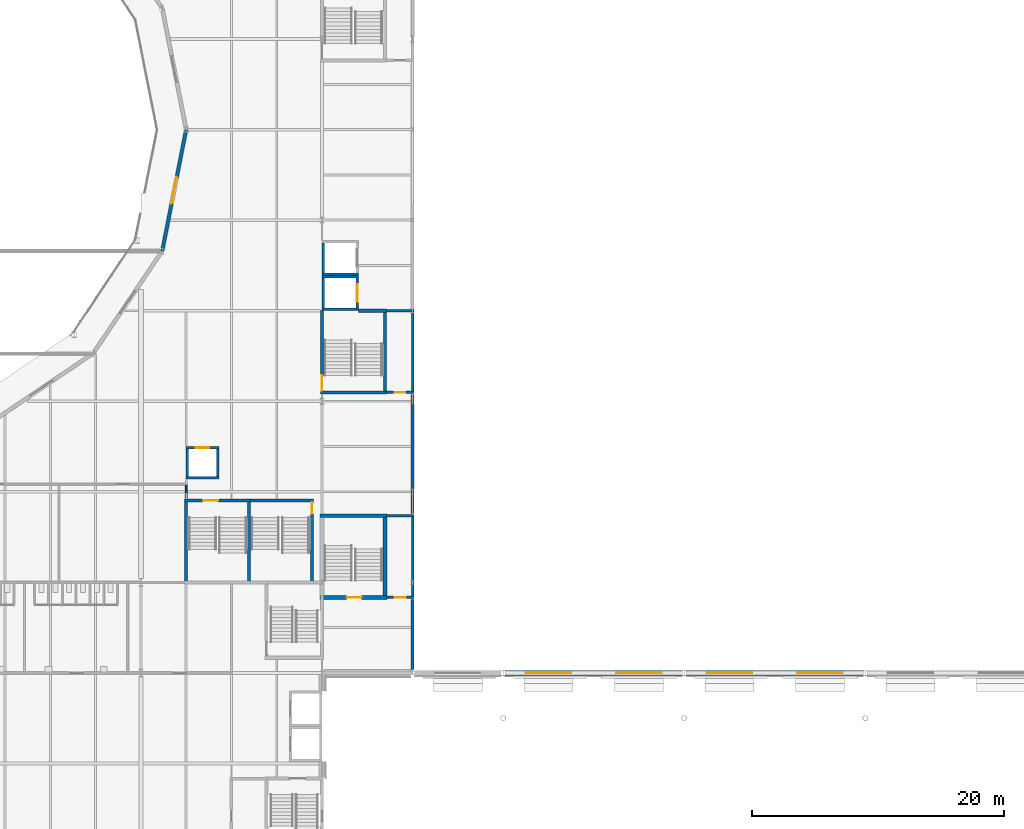
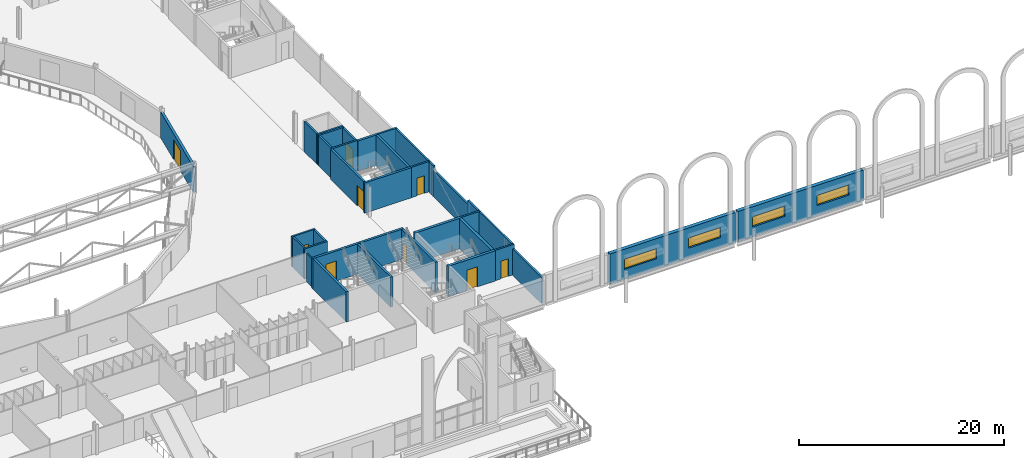
# One storey, part 73 of 143: 36 walls, 9 doors, 4 windows, 13 openings.
"""IFC4 building model written with IfcOpenShell, lengths in metres."""

from ifc_helpers import new_model, si_unit, direction, frame, frame_2d, origin, place, context, subcontext, project, spatial, rectangle, extrude, material, layer, layer_set, type_object, element, fill, save


model = new_model("IFC4")

# Units and contexts
model_context = context("Model", 3, precision=1e-05, world=origin(), true_north=direction((0.0, 1.0)))
body_context = subcontext(model_context, "Body", "Model", "MODEL_VIEW")
ifc_project = project(units=[si_unit("LENGTHUNIT", "METRE"), si_unit("AREAUNIT", "SQUARE_METRE"), si_unit("VOLUMEUNIT", "CUBIC_METRE"), si_unit("PLANEANGLEUNIT", "RADIAN"), si_unit("MASSUNIT", "GRAM", prefix="KILO")], contexts=[model_context])

# Site, building, storey
site_placement = place(None, origin())
site = spatial("IfcSite", under=ifc_project, at=site_placement, CompositionType="ELEMENT")
building_placement = place(site_placement, origin())
building = spatial("IfcBuilding", under=site, at=building_placement, Name="Kupolbacken Congress Centre", CompositionType="ELEMENT")
storey_placement = place(building_placement, frame((0.0, 0.0, 7.199951171875)))
storey = spatial("IfcBuildingStorey", under=building, at=storey_placement, Name="L02", CompositionType="ELEMENT", Elevation=7.199951171875)

# Wall, openings, windows
ifc_material_1 = material(Name="Brick", Category="masonry")
ifc_layer_1 = layer(ifc_material_1, 0.10791015625)
ifc_material_2 = material(Name="Air cavity", Category="air")
ifc_layer_2 = layer(ifc_material_2, 0.0400390625, ventilated=True)
ifc_material_3 = material(Name="Mineral wool", Category="insulation")
ifc_layer_3 = layer(ifc_material_3, 0.152099609375)
ifc_material_4 = material(Name="Concrete block", Category="masonry")
ifc_layer_4 = layer(ifc_material_4, 0.1201171875)
ifc_layer_set_1 = layer_set([ifc_layer_1, ifc_layer_2, ifc_layer_3, ifc_layer_4], Name="Brick / Mineral wool / Concrete block")
wall_type_1 = type_object("IfcWallType", Name="EW04 external cavity wall 420", PredefinedType="SOLIDWALL", material=ifc_layer_set_1)
wall_1_placement = place(storey_placement, frame((93.75, 43.199951171875, 0.0), z_axis=(0.0, 0.0, 1.0), x_axis=(1.0, 0.0, 0.0)))
wall_1 = element("IfcWall", 1, at=wall_1_placement, inside=storey, type_object=wall_type_1, Name="E/H/S/L02/266", PredefinedType="SOLIDWALL", context=body_context, shape_type="SweptSolid", body=[
    extrude(rectangle(XDim=14.10009765625, YDim=0.419921875, at=frame_2d((7.050048828125, 0.0))), origin(), (0.0, 0.0, 1.0), 3.60009765625),
])
opening_1_placement = place(wall_1_placement, frame((1.64990234375, 0.0, 1.199951171875)))
opening_1 = element("IfcOpeningElement", 2, at=opening_1_placement, cuts=wall_1, Name="Opening W12", PredefinedType="OPENING", context=body_context, shape_type="SweptSolid", body=[
    extrude(rectangle(XDim=3.60009765625, YDim=1.199951171875, at=frame_2d((1.800048828125, 0.60009765625))), frame((0.0, 0.219970703125, 0.0), z_axis=(0.0, -1.0, 0.0), x_axis=(1.0, 0.0, 0.0)), (0.0, 0.0, 1.0), 0.43994140625),
])
opening_2_placement = place(wall_1_placement, frame((8.85009765625, 0.0, 1.199951171875)))
opening_2 = element("IfcOpeningElement", 3, at=opening_2_placement, cuts=wall_1, Name="Opening W12", PredefinedType="OPENING", context=body_context, shape_type="SweptSolid", body=[
    extrude(rectangle(XDim=3.60009765625, YDim=1.199951171875, at=frame_2d((1.800048828125, 0.60009765625))), frame((0.0, 0.219970703125, 0.0), z_axis=(0.0, -1.0, 0.0), x_axis=(1.0, 0.0, 0.0)), (0.0, 0.0, 1.0), 0.43994140625),
])
ifc_material_5 = material(Name="Aluminium frame with double or triple glazing", Category="aluminium")
window_type = type_object("IfcWindowType", Name="W12 window 3600x1200", PartitioningType="TRIPLE_PANEL_VERTICAL", PredefinedType="WINDOW", material=ifc_material_5)
window_1_placement = place(opening_1_placement, origin())
window_1 = element("IfcWindow", 4, at=window_1_placement, inside=storey, type_object=window_type, Name="E/H/S/L02/266/W1", OverallHeight=1.199951171875, OverallWidth=3.60009765625, PartitioningType="SINGLE_PANEL", PredefinedType="WINDOW", context=body_context, shape_type="SweptSolid", body=[
    extrude(rectangle(XDim=3.60009765625, YDim=1.199951171875, at=frame_2d((1.800048828125, 0.60009765625))), frame((0.0, 0.030029296875, 0.0), z_axis=(0.0, -1.0, 0.0), x_axis=(1.0, 0.0, 0.0)), (0.0, 0.0, 1.0), 0.06005859375),
])
fill(opening_1, window_1)
window_2_placement = place(opening_2_placement, origin())
window_2 = element("IfcWindow", 5, at=window_2_placement, inside=storey, type_object=window_type, Name="E/H/S/L02/266/W2", OverallHeight=1.199951171875, OverallWidth=3.60009765625, PartitioningType="SINGLE_PANEL", PredefinedType="WINDOW", context=body_context, shape_type="SweptSolid", body=[
    extrude(rectangle(XDim=3.60009765625, YDim=1.199951171875, at=frame_2d((1.800048828125, 0.60009765625))), frame((0.0, 0.030029296875, 0.0), z_axis=(0.0, -1.0, 0.0), x_axis=(1.0, 0.0, 0.0)), (0.0, 0.0, 1.0), 0.06005859375),
])
fill(opening_2, window_2)

wall_2_placement = place(storey_placement, frame((108.14990234375, 43.199951171875, 0.0), z_axis=(0.0, 0.0, 1.0), x_axis=(1.0, 0.0, 0.0)))
wall_2 = element("IfcWall", 6, at=wall_2_placement, inside=storey, type_object=wall_type_1, Name="E/H/S/L02/267", PredefinedType="SOLIDWALL", context=body_context, shape_type="SweptSolid", body=[
    extrude(rectangle(XDim=14.10009765625, YDim=0.419921875, at=frame_2d((7.050048828125, 0.0))), origin(), (0.0, 0.0, 1.0), 3.60009765625),
])
opening_3_placement = place(wall_2_placement, frame((1.64990234375, 0.0, 1.199951171875)))
opening_3 = element("IfcOpeningElement", 7, at=opening_3_placement, cuts=wall_2, Name="Opening W12", PredefinedType="OPENING", context=body_context, shape_type="SweptSolid", body=[
    extrude(rectangle(XDim=3.60009765625, YDim=1.199951171875, at=frame_2d((1.800048828125, 0.60009765625))), frame((0.0, 0.219970703125, 0.0), z_axis=(0.0, -1.0, 0.0), x_axis=(1.0, 0.0, 0.0)), (0.0, 0.0, 1.0), 0.43994140625),
])
opening_4_placement = place(wall_2_placement, frame((8.85009765625, 0.0, 1.199951171875)))
opening_4 = element("IfcOpeningElement", 8, at=opening_4_placement, cuts=wall_2, Name="Opening W12", PredefinedType="OPENING", context=body_context, shape_type="SweptSolid", body=[
    extrude(rectangle(XDim=3.60009765625, YDim=1.199951171875, at=frame_2d((1.800048828125, 0.60009765625))), frame((0.0, 0.219970703125, 0.0), z_axis=(0.0, -1.0, 0.0), x_axis=(1.0, 0.0, 0.0)), (0.0, 0.0, 1.0), 0.43994140625),
])
window_3_placement = place(opening_3_placement, origin())
window_3 = element("IfcWindow", 9, at=window_3_placement, inside=storey, type_object=window_type, Name="E/H/S/L02/267/W1", OverallHeight=1.199951171875, OverallWidth=3.60009765625, PartitioningType="SINGLE_PANEL", PredefinedType="WINDOW", context=body_context, shape_type="SweptSolid", body=[
    extrude(rectangle(XDim=3.60009765625, YDim=1.199951171875, at=frame_2d((1.800048828125, 0.60009765625))), frame((0.0, 0.030029296875, 0.0), z_axis=(0.0, -1.0, 0.0), x_axis=(1.0, 0.0, 0.0)), (0.0, 0.0, 1.0), 0.06005859375),
])
fill(opening_3, window_3)
window_4_placement = place(opening_4_placement, origin())
window_4 = element("IfcWindow", 10, at=window_4_placement, inside=storey, type_object=window_type, Name="E/H/S/L02/267/W2", OverallHeight=1.199951171875, OverallWidth=3.60009765625, PartitioningType="SINGLE_PANEL", PredefinedType="WINDOW", context=body_context, shape_type="SweptSolid", body=[
    extrude(rectangle(XDim=3.60009765625, YDim=1.199951171875, at=frame_2d((1.800048828125, 0.60009765625))), frame((0.0, 0.030029296875, 0.0), z_axis=(0.0, -1.0, 0.0), x_axis=(1.0, 0.0, 0.0)), (0.0, 0.0, 1.0), 0.06005859375),
])
fill(opening_4, window_4)

# Wall
ifc_material_6 = material(Name="Gypsum board", Category="drywall")
ifc_layer_5 = layer(ifc_material_6, 0.135009765625)
ifc_layer_set_2 = layer_set([ifc_layer_5], Name="Gypsum board")
wall_type_2 = type_object("IfcWallType", Name="P06 compartment wall 135", PredefinedType="PARTITIONING", material=ifc_layer_set_2)
wall_3_placement = place(storey_placement, frame((68.39990234375, 57.0849609375, 0.0), z_axis=(0.0, 0.0, 1.0), x_axis=(0.0, 1.0, 0.0)))
element("IfcWall", 11, at=wall_3_placement, inside=storey, type_object=wall_type_2, Name="PD/L02/W004", PredefinedType="PARTITIONING", context=body_context, shape_type="SweptSolid", body=[
    extrude(rectangle(XDim=1.047607421875, YDim=0.135009765625, at=frame_2d((0.52392578125, 0.0))), origin(), (0.0, 0.0, 1.0), 3.420166015625),
])

# Wall, opening, door
ifc_material_7 = material(Name="Gypsum board", Category="drywall")
ifc_layer_6 = layer(ifc_material_7, 0.27490234375)
ifc_layer_set_3 = layer_set([ifc_layer_6], Name="Gypsum board")
wall_type_3 = type_object("IfcWallType", Name="P12 partition 275", PredefinedType="PARTITIONING", material=ifc_layer_set_3)
wall_4_placement = place(storey_placement, frame((66.5, 76.75, 0.0), z_axis=(0.0, 0.0, 1.0), x_axis=(0.193174651092, 0.981164386928, 0.0)))
wall_4 = element("IfcWall", 12, at=wall_4_placement, inside=storey, type_object=wall_type_3, Name="PD/L02/W059", PredefinedType="PARTITIONING", context=body_context, shape_type="SweptSolid", body=[
    extrude(rectangle(XDim=9.835205078125, YDim=0.27490234375, at=frame_2d((4.91748046875, 0.0))), origin(), (0.0, 0.0, 1.0), 3.070068359375),
])
opening_5_placement = place(wall_4_placement, frame((3.85009765625, 0.0, 0.0)))
opening_5 = element("IfcOpeningElement", 13, at=opening_5_placement, cuts=wall_4, Name="Opening 2.P21", PredefinedType="OPENING", context=body_context, shape_type="SweptSolid", body=[
    extrude(rectangle(XDim=2.10009765625, YDim=2.39990234375, at=frame_2d((1.050048828125, 1.199951171875))), frame((0.0, 0.1474609375, 0.0), z_axis=(0.0, -1.0, 0.0), x_axis=(1.0, 0.0, 0.0)), (0.0, 0.0, 1.0), 0.294921875),
])
ifc_material_8 = material(Name="Steel fire door leaf", Category="steel")
door_type_1 = type_object("IfcDoorType", Name="D17 fire door 2100x2400", OperationType="DOUBLE_DOOR_SINGLE_SWING", PredefinedType="DOOR", material=ifc_material_8)
door_1_placement = place(opening_5_placement, frame((2.10009765625, 0.0, 0.0), z_axis=(0.0, 0.0, 1.0), x_axis=(-1.0, 0.0, 0.0)))
door_1 = element("IfcDoor", 14, at=door_1_placement, inside=storey, type_object=door_type_1, Name="PD/L02/W059/D2P21", OperationType="DOUBLE_DOOR_SINGLE_SWING", OverallHeight=2.39990234375, OverallWidth=2.10009765625, PredefinedType="DOOR", context=body_context, shape_type="SweptSolid", body=[
    extrude(rectangle(XDim=2.10009765625, YDim=2.39990234375, at=frame_2d((1.050048828125, 1.199951171875))), frame((0.0, 0.02490234375, 0.0), z_axis=(0.0, -1.0, 0.0), x_axis=(1.0, 0.0, 0.0)), (0.0, 0.0, 1.0), 0.050048828125),
])
fill(opening_5, door_1)

# Walls
ifc_material_9 = material(Name="Dense concrete block", Category="masonry")
ifc_layer_7 = layer(ifc_material_9, 0.215087890625)
ifc_layer_set_4 = layer_set([ifc_layer_7], Name="Dense concrete block")
wall_type_4 = type_object("IfcWallType", Name="P15 partition 215", PredefinedType="PARTITIONING", material=ifc_layer_set_4)
wall_5_placement = place(storey_placement, frame((86.39990234375, 43.47998046875, 0.0), z_axis=(0.0, 0.0, 1.0), x_axis=(0.0, 1.0, 0.0)))
element("IfcWall", 15, at=wall_5_placement, inside=storey, type_object=wall_type_4, Name="PD/L02/W005", PredefinedType="PARTITIONING", context=body_context, shape_type="SweptSolid", body=[
    extrude(rectangle(XDim=5.56005859375, YDim=0.215087890625, at=frame_2d((2.780029296875, 0.0))), origin(), (0.0, 0.0, 1.0), 3.150146484375),
])
wall_6_placement = place(storey_placement, frame((86.39990234375, 55.860107421875, 0.0), z_axis=(0.0, 0.0, 1.0), x_axis=(0.0, 1.0, 0.0)))
element("IfcWall", 16, at=wall_6_placement, inside=storey, type_object=wall_type_4, Name="PD/L02/W006", PredefinedType="PARTITIONING", context=body_context, shape_type="SweptSolid", body=[
    extrude(rectangle(XDim=1.98486328125, YDim=0.215087890625, at=frame_2d((0.992431640625, 0.0))), origin(), (0.0, 0.0, 1.0), 3.60009765625),
])
wall_7_placement = place(storey_placement, frame((86.39990234375, 57.844970703125, 0.0), z_axis=(0.0, 0.0, 1.0), x_axis=(0.0, 1.0, 0.0)))
element("IfcWall", 17, at=wall_7_placement, inside=storey, type_object=wall_type_4, Name="PD/L02/W006.h1", PredefinedType="PARTITIONING", context=body_context, shape_type="SweptSolid", body=[
    extrude(rectangle(XDim=6.7099609375, YDim=0.215087890625, at=frame_2d((3.35498046875, 0.0))), origin(), (0.0, 0.0, 1.0), 3.1201171875),
])
wall_8_placement = place(storey_placement, frame((86.39990234375, 64.554931640625, 0.0), z_axis=(0.0, 0.0, 1.0), x_axis=(0.0, 1.0, 0.0)))
element("IfcWall", 18, at=wall_8_placement, inside=storey, type_object=wall_type_4, Name="PD/L02/W006.h2", PredefinedType="PARTITIONING", context=body_context, shape_type="SweptSolid", body=[
    extrude(rectangle(XDim=0.78515625, YDim=0.215087890625, at=frame_2d((0.392578125, 0.0))), origin(), (0.0, 0.0, 1.0), 3.60009765625),
])

# Wall, opening, door
ifc_material_10 = material(Name="Concrete C40/50", Category="concrete")
ifc_layer_8 = layer(ifc_material_10, 0.199951171875)
ifc_layer_set_5 = layer_set([ifc_layer_8], Name="Concrete C40/50")
wall_type_5 = type_object("IfcWallType", Name="WC1 RC shaft wall 200", PredefinedType="SHEAR", material=ifc_layer_set_5)
wall_9_placement = place(storey_placement, frame((84.35009765625, 49.199951171875, 0.0), z_axis=(0.0, 0.0, 1.0), x_axis=(1.0, 0.0, 0.0)))
wall_9 = element("IfcWall", 19, at=wall_9_placement, inside=storey, type_object=wall_type_5, Name="Shaft wall L02-020", PredefinedType="SHEAR", context=body_context, shape_type="SweptSolid", body=[
    extrude(rectangle(XDim=2.14990234375, YDim=0.199951171875, at=frame_2d((1.074951171875, 0.0))), origin(), (0.0, 0.0, 1.0), 3.60009765625),
])
opening_6_placement = place(wall_9_placement, frame((0.64990234375, 0.0, 0.0)))
opening_6 = element("IfcOpeningElement", 20, at=opening_6_placement, cuts=wall_9, Name="Opening 2.L05", PredefinedType="OPENING", context=body_context, shape_type="SweptSolid", body=[
    extrude(rectangle(XDim=0.85009765625, YDim=2.10009765625, at=frame_2d((0.425048828125, 1.050048828125))), frame((0.0, 0.10986328125, 0.0), z_axis=(0.0, -1.0, 0.0), x_axis=(1.0, 0.0, 0.0)), (0.0, 0.0, 1.0), 0.219970703125),
])
ifc_material_11 = material(Name="Steel fire door leaf", Category="steel")
door_type_2 = type_object("IfcDoorType", Name="D3 fire door 850x2100", OperationType="SINGLE_SWING_LEFT", PredefinedType="DOOR", material=ifc_material_11)
door_2_placement = place(opening_6_placement, origin())
door_2 = element("IfcDoor", 21, at=door_2_placement, inside=storey, type_object=door_type_2, Name="S/core/L02/020/D2L05", OperationType="SINGLE_SWING_LEFT", OverallHeight=2.10009765625, OverallWidth=0.85009765625, PredefinedType="DOOR", context=body_context, shape_type="SweptSolid", body=[
    extrude(rectangle(XDim=0.85009765625, YDim=2.10009765625, at=frame_2d((0.425048828125, 1.050048828125))), frame((0.0, 0.02490234375, 0.0), z_axis=(0.0, -1.0, 0.0), x_axis=(1.0, 0.0, 0.0)), (0.0, 0.0, 1.0), 0.050048828125),
])
fill(opening_6, door_2)

# Walls
wall_10_placement = place(storey_placement, frame((86.39990234375, 49.10009765625, 0.0), z_axis=(0.0, 0.0, 1.0), x_axis=(0.0, 1.0, 0.0)))
element("IfcWall", 22, at=wall_10_placement, inside=storey, type_object=wall_type_5, Name="Shaft wall L02-022", PredefinedType="SHEAR", context=body_context, shape_type="SweptSolid", body=[
    extrude(rectangle(XDim=6.699951171875, YDim=0.199951171875, at=frame_2d((3.35009765625, 0.0))), origin(), (0.0, 0.0, 1.0), 3.60009765625),
])
wall_11_placement = place(storey_placement, frame((86.5, 55.699951171875, 0.0), z_axis=(0.0, 0.0, 1.0), x_axis=(-1.0, 0.0, 0.0)))
element("IfcWall", 23, at=wall_11_placement, inside=storey, type_object=wall_type_5, Name="Shaft wall L02-039", PredefinedType="SHEAR", context=body_context, shape_type="SweptSolid", body=[
    extrude(rectangle(XDim=2.14990234375, YDim=0.199951171875, at=frame_2d((1.074951171875, 0.0))), origin(), (0.0, 0.0, 1.0), 3.60009765625),
])

# Wall, opening, door
wall_12_placement = place(storey_placement, frame((84.324951171875, 65.5, 0.0), z_axis=(0.0, 0.0, 1.0), x_axis=(1.0, 0.0, 0.0)))
wall_12 = element("IfcWall", 24, at=wall_12_placement, inside=storey, type_object=wall_type_5, Name="Shaft wall L02-046", PredefinedType="SHEAR", context=body_context, shape_type="SweptSolid", body=[
    extrude(rectangle(XDim=2.175048828125, YDim=0.199951171875, at=frame_2d((1.08740234375, 0.0))), origin(), (0.0, 0.0, 1.0), 3.60009765625),
])
opening_7_placement = place(wall_12_placement, frame((0.64990234375, 0.0, 0.0)))
opening_7 = element("IfcOpeningElement", 25, at=opening_7_placement, cuts=wall_12, Name="Opening 2.L07", PredefinedType="OPENING", context=body_context, shape_type="SweptSolid", body=[
    extrude(rectangle(XDim=0.85009765625, YDim=2.10009765625, at=frame_2d((0.425048828125, 1.050048828125))), frame((0.0, 0.10986328125, 0.0), z_axis=(0.0, -1.0, 0.0), x_axis=(1.0, 0.0, 0.0)), (0.0, 0.0, 1.0), 0.219970703125),
])
door_3_placement = place(opening_7_placement, origin())
door_3 = element("IfcDoor", 26, at=door_3_placement, inside=storey, type_object=door_type_2, Name="S/core/L02/046/D2L07", OperationType="SINGLE_SWING_LEFT", OverallHeight=2.10009765625, OverallWidth=0.85009765625, PredefinedType="DOOR", context=body_context, shape_type="SweptSolid", body=[
    extrude(rectangle(XDim=0.85009765625, YDim=2.10009765625, at=frame_2d((0.425048828125, 1.050048828125))), frame((0.0, 0.02490234375, 0.0), z_axis=(0.0, -1.0, 0.0), x_axis=(1.0, 0.0, 0.0)), (0.0, 0.0, 1.0), 0.050048828125),
])
fill(opening_7, door_3)

# Walls
wall_13_placement = place(storey_placement, frame((86.39990234375, 65.39990234375, 0.0), z_axis=(0.0, 0.0, 1.0), x_axis=(0.0, 1.0, 0.0)))
element("IfcWall", 27, at=wall_13_placement, inside=storey, type_object=wall_type_5, Name="Shaft wall L02-048", PredefinedType="SHEAR", context=body_context, shape_type="SweptSolid", body=[
    extrude(rectangle(XDim=6.7001953125, YDim=0.199951171875, at=frame_2d((3.35009765625, 0.0))), origin(), (0.0, 0.0, 1.0), 3.60009765625),
])
wall_14_placement = place(storey_placement, frame((86.5, 72.0, 0.0), z_axis=(0.0, 0.0, 1.0), x_axis=(-1.0, 0.0, 0.0)))
element("IfcWall", 28, at=wall_14_placement, inside=storey, type_object=wall_type_5, Name="Shaft wall L02-051", PredefinedType="SHEAR", context=body_context, shape_type="SweptSolid", body=[
    extrude(rectangle(XDim=2.175048828125, YDim=0.199951171875, at=frame_2d((1.08740234375, 0.0))), origin(), (0.0, 0.0, 1.0), 3.60009765625),
])
wall_15_placement = place(storey_placement, frame((68.39990234375, 58.699951171875, 0.0), z_axis=(0.0, 0.0, 1.0), x_axis=(1.0, 0.0, 0.0)))
element("IfcWall", 29, at=wall_15_placement, inside=storey, type_object=wall_type_5, Name="Shaft wall LP6", PredefinedType="SHEAR", context=body_context, shape_type="SweptSolid", body=[
    extrude(rectangle(XDim=2.60009765625, YDim=0.199951171875, at=frame_2d((1.300048828125, 0.0))), origin(), (0.0, 0.0, 1.0), 3.60009765625),
])

# Wall, opening, door
wall_16_placement = place(storey_placement, frame((68.39990234375, 61.10009765625, 0.0), z_axis=(0.0, 0.0, 1.0), x_axis=(1.0, 0.0, 0.0)))
wall_16 = element("IfcWall", 30, at=wall_16_placement, inside=storey, type_object=wall_type_5, Name="Shaft wall LP6", PredefinedType="SHEAR", context=body_context, shape_type="SweptSolid", body=[
    extrude(rectangle(XDim=2.60009765625, YDim=0.199951171875, at=frame_2d((1.300048828125, 0.0))), origin(), (0.0, 0.0, 1.0), 3.60009765625),
])
opening_8_placement = place(wall_16_placement, frame((0.75, 0.0, 0.0)))
opening_8 = element("IfcOpeningElement", 31, at=opening_8_placement, cuts=wall_16, Name="Opening LD2", PredefinedType="OPENING", context=body_context, shape_type="SweptSolid", body=[
    extrude(rectangle(XDim=1.10009765625, YDim=2.10009765625, at=frame_2d((0.550048828125, 1.050048828125))), frame((0.0, 0.10986328125, 0.0), z_axis=(0.0, -1.0, 0.0), x_axis=(1.0, 0.0, 0.0)), (0.0, 0.0, 1.0), 0.219970703125),
])
ifc_material_12 = material(Name="Stainless steel door leaf", Category="steel")
door_type_3 = type_object("IfcDoorType", Name="LD2 lift landing door 1100x2100", OperationType="SLIDING_TO_LEFT", PredefinedType="DOOR", material=ifc_material_12)
door_4_placement = place(opening_8_placement, origin())
door_4 = element("IfcDoor", 32, at=door_4_placement, inside=storey, type_object=door_type_3, Name="Lift landing door LP6", OperationType="SLIDING_TO_LEFT", OverallHeight=2.10009765625, OverallWidth=1.10009765625, PredefinedType="DOOR", context=body_context, shape_type="SweptSolid", body=[
    extrude(rectangle(XDim=1.10009765625, YDim=2.10009765625, at=frame_2d((0.550048828125, 1.050048828125))), frame((0.0, 0.02490234375, 0.0), z_axis=(0.0, -1.0, 0.0), x_axis=(1.0, 0.0, 0.0)), (0.0, 0.0, 1.0), 0.050048828125),
])
fill(opening_8, door_4)

# Walls
for number, where, z_axis, x_axis, name in (
    (33, (68.5, 58.800048828125, 0.0), (0.0, 0.0, 1.0), (0.0, 1.0, 0.0), "Shaft wall LP6"),
    (34, (70.89990234375, 58.800048828125, 0.0), (0.0, 0.0, 1.0), (0.0, 1.0, 0.0), "Shaft wall LP6"),
):
    element("IfcWall", number, at=place(storey_placement, frame(where, z_axis=z_axis, x_axis=x_axis)), inside=storey, type_object=wall_type_5, Name=name, PredefinedType="SHEAR", context=body_context, shape_type="SweptSolid", body=[
        extrude(rectangle(XDim=2.199951171875, YDim=0.199951171875, at=frame_2d((1.10009765625, 0.0))), origin(), (0.0, 0.0, 1.0), 3.60009765625),
    ])
for number, where, z_axis, x_axis, name in (
    (35, (79.199951171875, 72.10009765625, 0.0), (0.0, 0.0, 1.0), (1.0, 0.0, 0.0), "Shaft wall LG3"),
    (36, (79.199951171875, 74.699951171875, 0.0), (0.0, 0.0, 1.0), (1.0, 0.0, 0.0), "Shaft wall LG3"),
):
    element("IfcWall", number, at=place(storey_placement, frame(where, z_axis=z_axis, x_axis=x_axis)), inside=storey, type_object=wall_type_5, Name=name, PredefinedType="SHEAR", context=body_context, shape_type="SweptSolid", body=[
        extrude(rectangle(XDim=2.900146484375, YDim=0.199951171875, at=frame_2d((1.4501953125, 0.0))), origin(), (0.0, 0.0, 1.0), 3.60009765625),
    ])
wall_17_placement = place(storey_placement, frame((79.300048828125, 72.199951171875, 0.0), z_axis=(0.0, 0.0, 1.0), x_axis=(0.0, 1.0, 0.0)))
element("IfcWall", 37, at=wall_17_placement, inside=storey, type_object=wall_type_5, Name="Shaft wall LG3", PredefinedType="SHEAR", context=body_context, shape_type="SweptSolid", body=[
    extrude(rectangle(XDim=2.400146484375, YDim=0.199951171875, at=frame_2d((1.2001953125, 0.0))), origin(), (0.0, 0.0, 1.0), 3.60009765625),
])

# Wall, opening, door
wall_18_placement = place(storey_placement, frame((82.0, 72.199951171875, 0.0), z_axis=(0.0, 0.0, 1.0), x_axis=(0.0, 1.0, 0.0)))
wall_18 = element("IfcWall", 38, at=wall_18_placement, inside=storey, type_object=wall_type_5, Name="Shaft wall LG3", PredefinedType="SHEAR", context=body_context, shape_type="SweptSolid", body=[
    extrude(rectangle(XDim=2.400146484375, YDim=0.199951171875, at=frame_2d((1.2001953125, 0.0))), origin(), (0.0, 0.0, 1.0), 3.60009765625),
])
opening_9_placement = place(wall_18_placement, frame((0.5, 0.0, 0.0)))
opening_9 = element("IfcOpeningElement", 39, at=opening_9_placement, cuts=wall_18, Name="Opening LD3", PredefinedType="OPENING", context=body_context, shape_type="SweptSolid", body=[
    extrude(rectangle(XDim=1.39990234375, YDim=2.10009765625, at=frame_2d((0.699951171875, 1.050048828125))), frame((0.0, 0.10986328125, 0.0), z_axis=(0.0, -1.0, 0.0), x_axis=(1.0, 0.0, 0.0)), (0.0, 0.0, 1.0), 0.219970703125),
])
ifc_material_13 = material(Name="Stainless steel door leaf", Category="steel")
door_type_4 = type_object("IfcDoorType", Name="LD3 lift landing door 1400x2100", OperationType="SLIDING_TO_LEFT", PredefinedType="DOOR", material=ifc_material_13)
door_5_placement = place(opening_9_placement, origin())
door_5 = element("IfcDoor", 40, at=door_5_placement, inside=storey, type_object=door_type_4, Name="Lift landing door LG3", OperationType="SLIDING_TO_LEFT", OverallHeight=2.10009765625, OverallWidth=1.39990234375, PredefinedType="DOOR", context=body_context, shape_type="SweptSolid", body=[
    extrude(rectangle(XDim=1.39990234375, YDim=2.10009765625, at=frame_2d((0.699951171875, 1.050048828125))), frame((0.0, 0.02490234375, 0.0), z_axis=(0.0, -1.0, 0.0), x_axis=(1.0, 0.0, 0.0)), (0.0, 0.0, 1.0), 0.050048828125),
])
fill(opening_9, door_5)

# Walls
wall_19_placement = place(storey_placement, frame((79.199951171875, 74.89990234375, 0.0), z_axis=(0.0, 0.0, 1.0), x_axis=(1.0, 0.0, 0.0)))
element("IfcWall", 41, at=wall_19_placement, inside=storey, type_object=wall_type_5, Name="Shaft wall LG4", PredefinedType="SHEAR", context=body_context, shape_type="SweptSolid", body=[
    extrude(rectangle(XDim=2.900146484375, YDim=0.199951171875, at=frame_2d((1.4501953125, 0.0))), origin(), (0.0, 0.0, 1.0), 3.60009765625),
])
wall_20_placement = place(storey_placement, frame((79.300048828125, 75.0, 0.0), z_axis=(0.0, 0.0, 1.0), x_axis=(0.0, 1.0, 0.0)))
element("IfcWall", 42, at=wall_20_placement, inside=storey, type_object=wall_type_5, Name="Shaft wall LG4", PredefinedType="SHEAR", context=body_context, shape_type="SweptSolid", body=[
    extrude(rectangle(XDim=2.39990234375, YDim=0.199951171875, at=frame_2d((1.199951171875, 0.0))), origin(), (0.0, 0.0, 1.0), 3.60009765625),
])
ifc_material_14 = material(Name="Concrete C40/50", Category="concrete")
ifc_layer_9 = layer(ifc_material_14, 0.25)
ifc_layer_set_6 = layer_set([ifc_layer_9], Name="Concrete C40/50")
wall_type_6 = type_object("IfcWallType", Name="WC2 RC stair enclosure wall 250", PredefinedType="SHEAR", material=ifc_layer_set_6)
wall_21_placement = place(storey_placement, frame((73.39990234375, 50.27490234375, 0.0), z_axis=(0.0, 0.0, 1.0), x_axis=(0.0, 1.0, 0.0)))
element("IfcWall", 43, at=wall_21_placement, inside=storey, type_object=wall_type_6, Name="Stair enclosure wall L02-029", PredefinedType="SHEAR", context=body_context, shape_type="SweptSolid", body=[
    extrude(rectangle(XDim=6.75, YDim=0.25, at=frame_2d((3.375, 0.0))), origin(), (0.0, 0.0, 1.0), 3.60009765625),
])

# Wall, opening, door
wall_22_placement = place(storey_placement, frame((78.39990234375, 50.27490234375, 0.0), z_axis=(0.0, 0.0, 1.0), x_axis=(0.0, 1.0, 0.0)))
wall_22 = element("IfcWall", 44, at=wall_22_placement, inside=storey, type_object=wall_type_6, Name="Stair enclosure wall L02-032", PredefinedType="SHEAR", context=body_context, shape_type="SweptSolid", body=[
    extrude(rectangle(XDim=6.75, YDim=0.25, at=frame_2d((3.375, 0.0))), origin(), (0.0, 0.0, 1.0), 3.60009765625),
])
opening_10_placement = place(wall_22_placement, frame((5.574951171875, 0.0, 0.0)))
opening_10 = element("IfcOpeningElement", 45, at=opening_10_placement, cuts=wall_22, Name="Opening 2.P04", PredefinedType="OPENING", context=body_context, shape_type="SweptSolid", body=[
    extrude(rectangle(XDim=0.89990234375, YDim=2.10009765625, at=frame_2d((0.449951171875, 1.050048828125))), frame((0.0, 0.135009765625, 0.0), z_axis=(0.0, -1.0, 0.0), x_axis=(1.0, 0.0, 0.0)), (0.0, 0.0, 1.0), 0.27001953125),
])
ifc_material_15 = material(Name="Steel fire door leaf", Category="steel")
door_type_5 = type_object("IfcDoorType", Name="D4 fire door 900x2100", OperationType="SINGLE_SWING_LEFT", PredefinedType="DOOR", material=ifc_material_15)
door_6_placement = place(opening_10_placement, origin())
door_6 = element("IfcDoor", 46, at=door_6_placement, inside=storey, type_object=door_type_5, Name="S/core/L02/032/D2P04", OperationType="SINGLE_SWING_LEFT", OverallHeight=2.10009765625, OverallWidth=0.89990234375, PredefinedType="DOOR", context=body_context, shape_type="SweptSolid", body=[
    extrude(rectangle(XDim=0.89990234375, YDim=2.10009765625, at=frame_2d((0.449951171875, 1.050048828125))), frame((0.0, 0.02490234375, 0.0), z_axis=(0.0, -1.0, 0.0), x_axis=(1.0, 0.0, 0.0)), (0.0, 0.0, 1.0), 0.050048828125),
])
fill(opening_10, door_6)

# Wall
wall_23_placement = place(storey_placement, frame((68.39990234375, 57.02490234375, 0.0), z_axis=(0.0, 0.0, 1.0), x_axis=(0.0, -1.0, 0.0)))
element("IfcWall", 47, at=wall_23_placement, inside=storey, type_object=wall_type_6, Name="Stair enclosure wall L02-040", PredefinedType="SHEAR", context=body_context, shape_type="SweptSolid", body=[
    extrude(rectangle(XDim=6.75, YDim=0.25, at=frame_2d((3.375, 0.0))), origin(), (0.0, 0.0, 1.0), 3.60009765625),
])

# Wall, opening, door
wall_24_placement = place(storey_placement, frame((73.52490234375, 56.89990234375, 0.0), z_axis=(0.0, 0.0, 1.0), x_axis=(-1.0, 0.0, 0.0)))
wall_24 = element("IfcWall", 48, at=wall_24_placement, inside=storey, type_object=wall_type_6, Name="Stair enclosure wall L02-041", PredefinedType="SHEAR", context=body_context, shape_type="SweptSolid", body=[
    extrude(rectangle(XDim=5.25, YDim=0.25, at=frame_2d((2.625, 0.0))), origin(), (0.0, 0.0, 1.0), 3.60009765625),
])
opening_11_placement = place(wall_24_placement, frame((2.574951171875, 0.0, 0.0)))
opening_11 = element("IfcOpeningElement", 49, at=opening_11_placement, cuts=wall_24, Name="Opening 2.P03", PredefinedType="OPENING", context=body_context, shape_type="SweptSolid", body=[
    extrude(rectangle(XDim=1.199951171875, YDim=2.39990234375, at=frame_2d((0.60009765625, 1.199951171875))), frame((0.0, 0.135009765625, 0.0), z_axis=(0.0, -1.0, 0.0), x_axis=(1.0, 0.0, 0.0)), (0.0, 0.0, 1.0), 0.27001953125),
])
ifc_material_16 = material(Name="Steel fire door leaf", Category="steel")
door_type_6 = type_object("IfcDoorType", Name="D9 fire door 1200x2400", OperationType="SINGLE_SWING_LEFT", PredefinedType="DOOR", material=ifc_material_16)
door_7_placement = place(opening_11_placement, origin())
door_7 = element("IfcDoor", 50, at=door_7_placement, inside=storey, type_object=door_type_6, Name="S/core/L02/041/D2P03", OperationType="SINGLE_SWING_LEFT", OverallHeight=2.39990234375, OverallWidth=1.199951171875, PredefinedType="DOOR", context=body_context, shape_type="SweptSolid", body=[
    extrude(rectangle(XDim=1.199951171875, YDim=2.39990234375, at=frame_2d((0.60009765625, 1.199951171875))), frame((0.0, 0.02490234375, 0.0), z_axis=(0.0, -1.0, 0.0), x_axis=(1.0, 0.0, 0.0)), (0.0, 0.0, 1.0), 0.050048828125),
])
fill(opening_11, door_7)

# Walls
wall_25_placement = place(storey_placement, frame((78.52490234375, 56.89990234375, 0.0), z_axis=(0.0, 0.0, 1.0), x_axis=(-1.0, 0.0, 0.0)))
element("IfcWall", 51, at=wall_25_placement, inside=storey, type_object=wall_type_6, Name="Stair enclosure wall L02-042", PredefinedType="SHEAR", context=body_context, shape_type="SweptSolid", body=[
    extrude(rectangle(XDim=5.0, YDim=0.25, at=frame_2d((2.5, 0.0))), origin(), (0.0, 0.0, 1.0), 3.60009765625),
])
wall_26_placement = place(storey_placement, frame((79.074951171875, 65.5, 0.0), z_axis=(0.0, 0.0, 1.0), x_axis=(1.0, 0.0, 0.0)))
element("IfcWall", 52, at=wall_26_placement, inside=storey, type_object=wall_type_6, Name="Stair enclosure wall L02-045", PredefinedType="SHEAR", context=body_context, shape_type="SweptSolid", body=[
    extrude(rectangle(XDim=5.25, YDim=0.25, at=frame_2d((2.625, 0.0))), origin(), (0.0, 0.0, 1.0), 3.60009765625),
])
wall_27_placement = place(storey_placement, frame((84.199951171875, 65.375, 0.0), z_axis=(0.0, 0.0, 1.0), x_axis=(0.0, 1.0, 0.0)))
element("IfcWall", 53, at=wall_27_placement, inside=storey, type_object=wall_type_6, Name="Stair enclosure wall L02-047", PredefinedType="SHEAR", context=body_context, shape_type="SweptSolid", body=[
    extrude(rectangle(XDim=6.75, YDim=0.25, at=frame_2d((3.375, 0.0))), origin(), (0.0, 0.0, 1.0), 3.60009765625),
])

# Wall, opening, door
wall_28_placement = place(storey_placement, frame((79.199951171875, 72.0, 0.0), z_axis=(0.0, 0.0, 1.0), x_axis=(0.0, -1.0, 0.0)))
wall_28 = element("IfcWall", 54, at=wall_28_placement, inside=storey, type_object=wall_type_6, Name="Stair enclosure wall L02-049", PredefinedType="SHEAR", context=body_context, shape_type="SweptSolid", body=[
    extrude(rectangle(XDim=6.625, YDim=0.25, at=frame_2d((3.3125, 0.0))), origin(), (0.0, 0.0, 1.0), 3.60009765625),
])
opening_12_placement = place(wall_28_placement, frame((5.14990234375, 0.0, 0.0)))
opening_12 = element("IfcOpeningElement", 55, at=opening_12_placement, cuts=wall_28, Name="Opening 2.L02", PredefinedType="OPENING", context=body_context, shape_type="SweptSolid", body=[
    extrude(rectangle(XDim=1.199951171875, YDim=2.39990234375, at=frame_2d((0.60009765625, 1.199951171875))), frame((0.0, 0.135009765625, 0.0), z_axis=(0.0, -1.0, 0.0), x_axis=(1.0, 0.0, 0.0)), (0.0, 0.0, 1.0), 0.27001953125),
])
door_8_placement = place(opening_12_placement, origin())
door_8 = element("IfcDoor", 56, at=door_8_placement, inside=storey, type_object=door_type_6, Name="S/core/L02/049/D2L02", OperationType="SINGLE_SWING_LEFT", OverallHeight=2.39990234375, OverallWidth=1.199951171875, PredefinedType="DOOR", context=body_context, shape_type="SweptSolid", body=[
    extrude(rectangle(XDim=1.199951171875, YDim=2.39990234375, at=frame_2d((0.60009765625, 1.199951171875))), frame((0.0, 0.02490234375, 0.0), z_axis=(0.0, -1.0, 0.0), x_axis=(1.0, 0.0, 0.0)), (0.0, 0.0, 1.0), 0.050048828125),
])
fill(opening_12, door_8)

# Wall
wall_29_placement = place(storey_placement, frame((82.10009765625, 72.0, 0.0), z_axis=(0.0, 0.0, 1.0), x_axis=(1.0, 0.0, 0.0)))
element("IfcWall", 57, at=wall_29_placement, inside=storey, type_object=wall_type_6, Name="Stair enclosure wall L02-050", PredefinedType="SHEAR", context=body_context, shape_type="SweptSolid", body=[
    extrude(rectangle(XDim=2.224853515625, YDim=0.25, at=frame_2d((1.1123046875, 0.0))), origin(), (0.0, 0.0, 1.0), 3.60009765625),
])

# Wall, opening, door
ifc_material_17 = material(Name="Concrete C40/50", Category="concrete")
ifc_layer_10 = layer(ifc_material_17, 0.300048828125)
ifc_layer_set_7 = layer_set([ifc_layer_10], Name="Concrete C40/50")
wall_type_7 = type_object("IfcWallType", Name="WC3 RC core wall 300", PredefinedType="SHEAR", material=ifc_layer_set_7)
wall_30_placement = place(storey_placement, frame((79.050048828125, 49.199951171875, 0.0), z_axis=(0.0, 0.0, 1.0), x_axis=(1.0, 0.0, 0.0)))
wall_30 = element("IfcWall", 58, at=wall_30_placement, inside=storey, type_object=wall_type_7, Name="Core wall L02-018", PredefinedType="SHEAR", context=body_context, shape_type="SweptSolid", body=[
    extrude(rectangle(XDim=5.300048828125, YDim=0.300048828125, at=frame_2d((2.64990234375, 0.0))), origin(), (0.0, 0.0, 1.0), 3.60009765625),
])
opening_13_placement = place(wall_30_placement, frame((2.10009765625, 0.0, 0.0)))
opening_13 = element("IfcOpeningElement", 59, at=opening_13_placement, cuts=wall_30, Name="Opening 2.L01", PredefinedType="OPENING", context=body_context, shape_type="SweptSolid", body=[
    extrude(rectangle(XDim=1.199951171875, YDim=2.39990234375, at=frame_2d((0.60009765625, 1.199951171875))), frame((0.0, 0.159912109375, 0.0), z_axis=(0.0, -1.0, 0.0), x_axis=(1.0, 0.0, 0.0)), (0.0, 0.0, 1.0), 0.320068359375),
])
door_9_placement = place(opening_13_placement, origin())
door_9 = element("IfcDoor", 60, at=door_9_placement, inside=storey, type_object=door_type_6, Name="S/core/L02/018/D2L01", OperationType="SINGLE_SWING_LEFT", OverallHeight=2.39990234375, OverallWidth=1.199951171875, PredefinedType="DOOR", context=body_context, shape_type="SweptSolid", body=[
    extrude(rectangle(XDim=1.199951171875, YDim=2.39990234375, at=frame_2d((0.60009765625, 1.199951171875))), frame((0.0, 0.02490234375, 0.0), z_axis=(0.0, -1.0, 0.0), x_axis=(1.0, 0.0, 0.0)), (0.0, 0.0, 1.0), 0.050048828125),
])
fill(opening_13, door_9)

# Walls
wall_31_placement = place(storey_placement, frame((84.199951171875, 49.050048828125, 0.0), z_axis=(0.0, 0.0, 1.0), x_axis=(0.0, 1.0, 0.0)))
element("IfcWall", 61, at=wall_31_placement, inside=storey, type_object=wall_type_7, Name="Core wall L02-021", PredefinedType="SHEAR", context=body_context, shape_type="SweptSolid", body=[
    extrude(rectangle(XDim=6.800048828125, YDim=0.300048828125, at=frame_2d((3.39990234375, 0.0))), origin(), (0.0, 0.0, 1.0), 3.60009765625),
])
wall_32_placement = place(storey_placement, frame((84.35009765625, 55.699951171875, 0.0), z_axis=(0.0, 0.0, 1.0), x_axis=(-1.0, 0.0, 0.0)))
element("IfcWall", 62, at=wall_32_placement, inside=storey, type_object=wall_type_7, Name="Core wall L02-038", PredefinedType="SHEAR", context=body_context, shape_type="SweptSolid", body=[
    extrude(rectangle(XDim=5.300048828125, YDim=0.300048828125, at=frame_2d((2.64990234375, 0.0))), origin(), (0.0, 0.0, 1.0), 3.60009765625),
])

save(model, "model.ifc")
